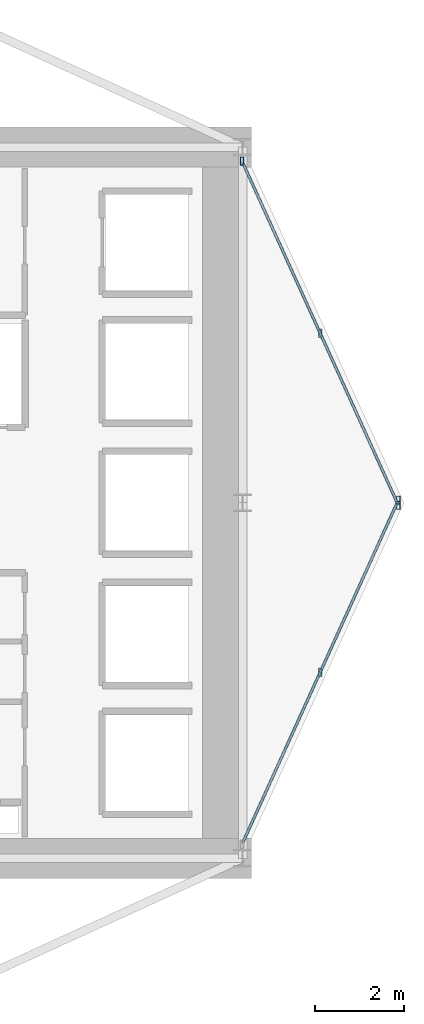
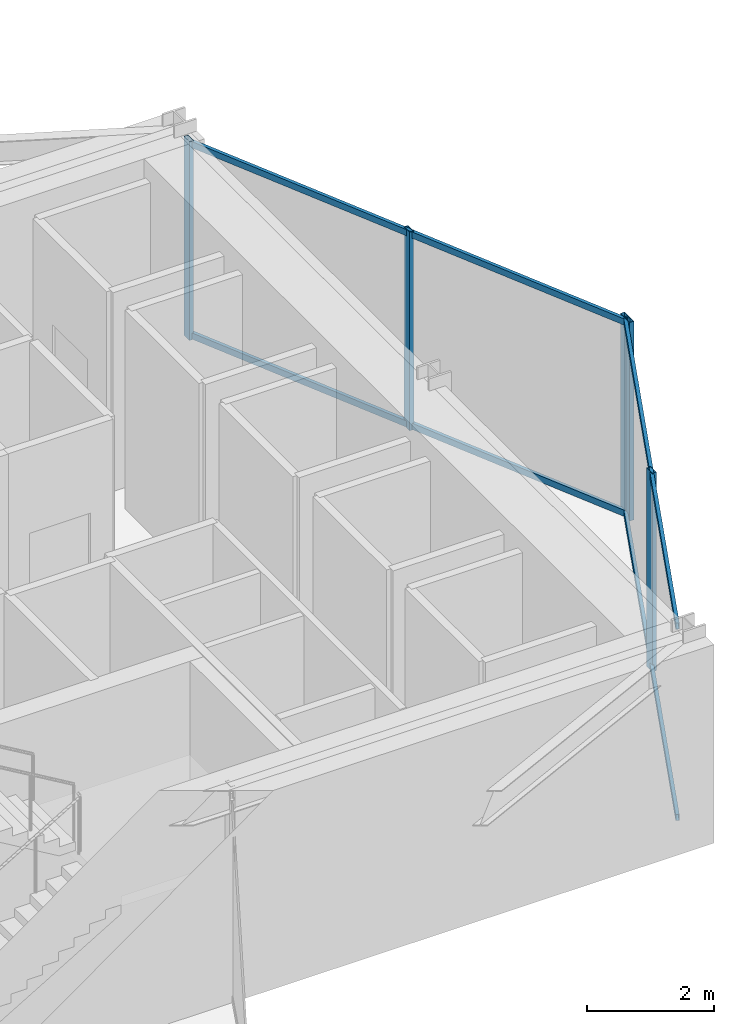
# One storey, part 15 of 23: 9 members, 2 elements without a shape of their own.
"""IFC4 building model written with IfcOpenShell, lengths in metres."""

from ifc_helpers import new_model, si_unit, direction, frame, origin, origin_2d, place, context, subcontext, project, spatial, hollow_rectangle, extrude, material, layer, layer_set, material_profile, profile_set, type_object, element, aggregate, save


model = new_model("IFC4")

# Units and contexts
model_context = context("Model", 3, precision=1e-05, world=origin(), true_north=direction((0.0, 1.0)))
body_context = subcontext(model_context, "Body", "Model", "MODEL_VIEW")
ifc_project = project(units=[si_unit("LENGTHUNIT", "METRE"), si_unit("AREAUNIT", "SQUARE_METRE"), si_unit("VOLUMEUNIT", "CUBIC_METRE"), si_unit("PLANEANGLEUNIT", "RADIAN"), si_unit("MASSUNIT", "GRAM", prefix="KILO")], contexts=[model_context])

# Site, building, storey
site_placement = place(None, origin())
site = spatial("IfcSite", under=ifc_project, at=site_placement, CompositionType="ELEMENT")
building_placement = place(site_placement, origin())
building = spatial("IfcBuilding", under=site, at=building_placement, Name="Veymaron Broadcast Tower", CompositionType="ELEMENT")
storey_placement = place(building_placement, frame((0.0, 0.0, 94.5)))
storey = spatial("IfcBuildingStorey", under=building, at=storey_placement, Name="L21", CompositionType="ELEMENT", Elevation=94.5)

# Curtain wall, members
ifc_material_1 = material(Name="Anodised aluminium AA 6063-T6 and laminated low-E dark glass", Category="aluminium")
ifc_layer = layer(ifc_material_1, 0.179931640625)
ifc_layer_set = layer_set([ifc_layer], Name="Anodised aluminium AA 6063-T6 and laminated low-E dark glass")
curtain_wall_type = type_object("IfcCurtainWallType", Name="CW-SYS-02", PredefinedType="NOTDEFINED", material=ifc_layer_set)
curtain_wall_1_placement = place(storey_placement, origin())
curtain_wall_1 = element("IfcCurtainWall", 1, at=curtain_wall_1_placement, inside=storey, type_object=curtain_wall_type, Name="L21 dark-glass curtain wall CW-L21-E2-1", PredefinedType="NOTDEFINED")
ifc_material_2 = material(Name="Anodised aluminium AA 6063-T6", Category="aluminium")
ifc_material_profile_1 = material_profile(ifc_material_2, hollow_rectangle(XDim=0.074951171875, YDim=0.179931640625, WallThickness=0.0048828125, at=origin_2d()), Name="AL180X75X5")
ifc_profile_set_1 = profile_set([ifc_material_profile_1], Name="Anodised aluminium AA 6063-T6")
member_type_1 = type_object("IfcMemberType", Name="CW-MUL-02", PredefinedType="MULLION", material=ifc_profile_set_1)
member_1_placement = place(storey_placement, frame((56.347412109375, 20.1865234375, 0.0), z_axis=(0.0, 0.0, 1.0), x_axis=(1.0, 0.0, 0.0)))
member_1 = element("IfcMember", 2, at=member_1_placement, type_object=member_type_1, Name="CW-L21-E2-1 mullion 1", PredefinedType="MULLION", context=body_context, shape_type="SweptSolid", body=[
    extrude(hollow_rectangle(XDim=0.074951171875, YDim=0.179931640625, WallThickness=0.0048828125, at=origin_2d()), origin(), (0.0, 0.0, 1.0), 3.81005859375),
])
member_2_placement = place(storey_placement, frame((58.10546875, 24.057861328125, 0.0), z_axis=(0.0, 0.0, 1.0), x_axis=(1.0, 0.0, 0.0)))
member_2 = element("IfcMember", 3, at=member_2_placement, type_object=member_type_1, Name="CW-L21-E2-1 mullion 2", PredefinedType="MULLION", context=body_context, shape_type="SweptSolid", body=[
    extrude(hollow_rectangle(XDim=0.074951171875, YDim=0.179931640625, WallThickness=0.0048828125, at=origin_2d()), origin(), (0.0, 0.0, 1.0), 3.81005859375),
])

curtain_wall_2_placement = place(storey_placement, origin())
curtain_wall_2 = element("IfcCurtainWall", 4, at=curtain_wall_2_placement, inside=storey, type_object=curtain_wall_type, Name="L21 dark-glass curtain wall CW-L21-E3-1", PredefinedType="NOTDEFINED")
member_3_placement = place(storey_placement, frame((58.10546875, 23.942138671875, 0.0), z_axis=(0.0, 0.0, 1.0), x_axis=(1.0, 0.0, 0.0)))
member_3 = element("IfcMember", 5, at=member_3_placement, type_object=member_type_1, Name="CW-L21-E3-1 mullion 0", PredefinedType="MULLION", context=body_context, shape_type="SweptSolid", body=[
    extrude(hollow_rectangle(XDim=0.074951171875, YDim=0.179931640625, WallThickness=0.0048828125, at=origin_2d()), origin(), (0.0, 0.0, 1.0), 3.81005859375),
])
member_4_placement = place(storey_placement, frame((56.347412109375, 27.8134765625, 0.0), z_axis=(0.0, 0.0, 1.0), x_axis=(1.0, 0.0, 0.0)))
member_4 = element("IfcMember", 6, at=member_4_placement, type_object=member_type_1, Name="CW-L21-E3-1 mullion 1", PredefinedType="MULLION", context=body_context, shape_type="SweptSolid", body=[
    extrude(hollow_rectangle(XDim=0.074951171875, YDim=0.179931640625, WallThickness=0.0048828125, at=origin_2d()), origin(), (0.0, 0.0, 1.0), 3.81005859375),
])
member_5_placement = place(storey_placement, frame((54.58935546875, 31.684814453125, 0.0), z_axis=(0.0, 0.0, 1.0), x_axis=(1.0, 0.0, 0.0)))
member_5 = element("IfcMember", 7, at=member_5_placement, type_object=member_type_1, Name="CW-L21-E3-1 mullion 2", PredefinedType="MULLION", context=body_context, shape_type="SweptSolid", body=[
    extrude(hollow_rectangle(XDim=0.074951171875, YDim=0.179931640625, WallThickness=0.0048828125, at=origin_2d()), origin(), (0.0, 0.0, 1.0), 3.81005859375),
])

# Member
ifc_material_profile_2 = material_profile(ifc_material_2, hollow_rectangle(XDim=0.06005859375, YDim=0.1201171875, WallThickness=0.00390625, at=origin_2d()), Name="AL120X60X4")
ifc_profile_set_2 = profile_set([ifc_material_profile_2], Name="Anodised aluminium AA 6063-T6")
member_type_2 = type_object("IfcMemberType", Name="CW-TRN-02", PredefinedType="USERDEFINED", material=ifc_profile_set_2)
member_6_placement = place(storey_placement, frame((54.610107421875, 16.360595703125, 0.070068359375), z_axis=(0.413457085435, 0.91052360678, 0.0), x_axis=(-0.91052360678, 0.413457085435, 0.0)))
member_6 = element("IfcMember", 8, at=member_6_placement, type_object=member_type_2, Name="CW-L21-E2-1 transom B", ObjectType="TRANSOM", PredefinedType="USERDEFINED", context=body_context, shape_type="SweptSolid", body=[
    extrude(hollow_rectangle(XDim=0.06005859375, YDim=0.1201171875, WallThickness=0.00390625, at=origin_2d()), origin(), (0.0, 0.0, 1.0), 8.40380859375),
])

member_7_placement = place(storey_placement, frame((54.610107421875, 16.360595703125, 3.739990234375), z_axis=(0.413457085435, 0.91052360678, 0.0), x_axis=(-0.91052360678, 0.413457085435, 0.0)))
member_7 = element("IfcMember", 9, at=member_7_placement, type_object=member_type_2, Name="CW-L21-E2-1 transom T", ObjectType="TRANSOM", PredefinedType="USERDEFINED", context=body_context, shape_type="SweptSolid", body=[
    extrude(hollow_rectangle(XDim=0.06005859375, YDim=0.1201171875, WallThickness=0.00390625, at=origin_2d()), origin(), (0.0, 0.0, 1.0), 8.40380859375),
])

aggregate(curtain_wall_1, [member_1, member_2, member_6, member_7])

member_8_placement = place(storey_placement, frame((58.084716796875, 23.987548828125, 0.070068359375), z_axis=(-0.413457085435, 0.91052360678, 0.0), x_axis=(-0.91052360678, -0.413457085435, 0.0)))
member_8 = element("IfcMember", 10, at=member_8_placement, type_object=member_type_2, Name="CW-L21-E3-1 transom B", ObjectType="TRANSOM", PredefinedType="USERDEFINED", context=body_context, shape_type="SweptSolid", body=[
    extrude(hollow_rectangle(XDim=0.06005859375, YDim=0.1201171875, WallThickness=0.00390625, at=origin_2d()), origin(), (0.0, 0.0, 1.0), 8.40380859375),
])

member_9_placement = place(storey_placement, frame((58.084716796875, 23.987548828125, 3.739990234375), z_axis=(-0.413457085435, 0.91052360678, 0.0), x_axis=(-0.91052360678, -0.413457085435, 0.0)))
member_9 = element("IfcMember", 11, at=member_9_placement, type_object=member_type_2, Name="CW-L21-E3-1 transom T", ObjectType="TRANSOM", PredefinedType="USERDEFINED", context=body_context, shape_type="SweptSolid", body=[
    extrude(hollow_rectangle(XDim=0.06005859375, YDim=0.1201171875, WallThickness=0.00390625, at=origin_2d()), origin(), (0.0, 0.0, 1.0), 8.40380859375),
])

aggregate(curtain_wall_2, [member_3, member_4, member_5, member_8, member_9])

save(model, "model.ifc")
